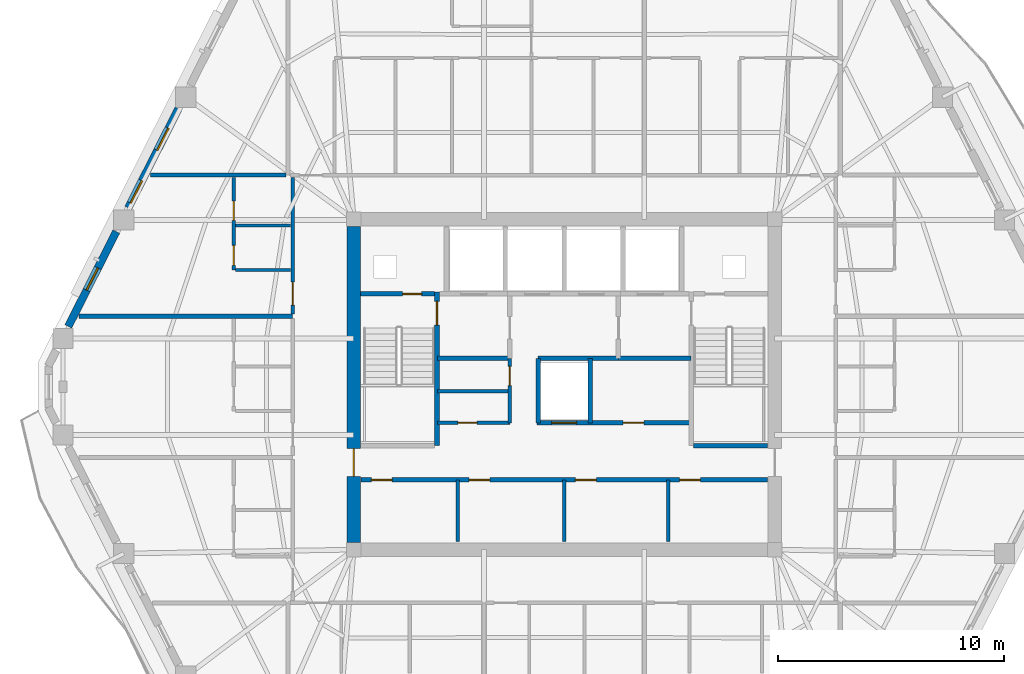
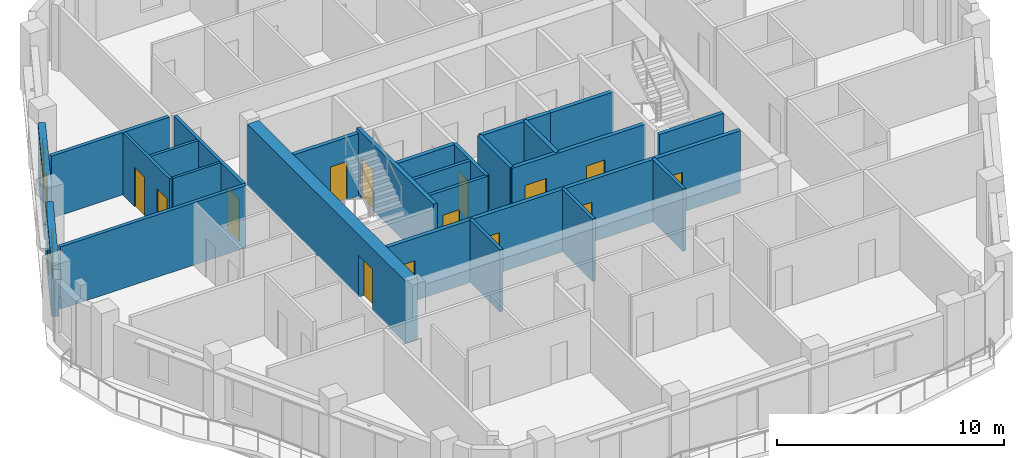
# One storey, part 5 of 11: 25 walls, 14 doors, 3 windows, 17 openings.
"""IFC4 building model written with IfcOpenShell, lengths in metres."""

from ifc_helpers import new_model, si_unit, direction, frame, frame_2d, origin, place, context, subcontext, project, spatial, rectangle, extrude, material, layer, layer_set, type_object, element, fill, save


model = new_model("IFC4")

# Units and contexts
model_context = context("Model", 3, precision=1e-05, world=origin(), true_north=direction((0.0, 1.0)))
body_context = subcontext(model_context, "Body", "Model", "MODEL_VIEW")
ifc_project = project(units=[si_unit("LENGTHUNIT", "METRE"), si_unit("AREAUNIT", "SQUARE_METRE"), si_unit("VOLUMEUNIT", "CUBIC_METRE"), si_unit("PLANEANGLEUNIT", "RADIAN"), si_unit("MASSUNIT", "GRAM", prefix="KILO")], contexts=[model_context])

# Site, building, storey
site_placement = place(None, origin())
site = spatial("IfcSite", under=ifc_project, at=site_placement, CompositionType="ELEMENT")
building_placement = place(site_placement, origin())
building = spatial("IfcBuilding", under=site, at=building_placement, Name="Cinnabar Lancet Tower", CompositionType="ELEMENT")
storey_placement = place(building_placement, frame((0.0, 0.0, 200.300048828125)))
storey = spatial("IfcBuildingStorey", under=building, at=storey_placement, Name="L53", CompositionType="ELEMENT", Elevation=200.300048828125)

# Wall, opening, door
ifc_material_1 = material(Name="Acoustic twin-stud gypsum partition", Category="gypsum")
ifc_layer_1 = layer(ifc_material_1, 0.159912109375)
ifc_layer_set_1 = layer_set([ifc_layer_1], Name="Acoustic twin-stud gypsum partition")
wall_type_1 = type_object("IfcWallType", Name="ARC-WL-CORR-160", PredefinedType="PARTITIONING", material=ifc_layer_set_1)
wall_1_placement = place(storey_placement, frame((26.800048828125, 24.199951171875, 0.0), z_axis=(0.0, 0.0, 1.0), x_axis=(1.0, 0.0, 0.0)))
wall_1 = element("IfcWall", 1, at=wall_1_placement, inside=storey, type_object=wall_type_1, Name="CW-REC5S-L53", PredefinedType="PARTITIONING", context=body_context, shape_type="SweptSolid", body=[
    extrude(rectangle(XDim=3.199951171875, YDim=0.159912109375, at=frame_2d((1.60009765625, 0.0))), origin(), (0.0, 0.0, 1.0), 3.349853515625),
])
opening_1_placement = place(wall_1_placement, frame((0.89990234375, 0.0, 0.0)))
opening_1 = element("IfcOpeningElement", 2, at=opening_1_placement, cuts=wall_1, Name="Opening PD-02", PredefinedType="OPENING", context=body_context, shape_type="SweptSolid", body=[
    extrude(rectangle(XDim=0.85009765625, YDim=2.050048828125, at=frame_2d((0.425048828125, 1.02490234375))), frame((0.0, 0.08984375, 0.0), z_axis=(0.0, -1.0, 0.0), x_axis=(1.0, 0.0, 0.0)), (0.0, 0.0, 1.0), 0.179931640625),
])
ifc_material_2 = material(Name="Fire-rated steel riser access door", Category="steel")
door_type_1 = type_object("IfcDoorType", Name="ARC-DR-RISER", OperationType="NOTDEFINED", PredefinedType="DOOR", material=ifc_material_2)
door_1_placement = place(opening_1_placement, origin())
door_1 = element("IfcDoor", 3, at=door_1_placement, inside=storey, type_object=door_type_1, Name="DR-L53-REC5S", OperationType="SINGLE_SWING_LEFT", OverallHeight=2.050048828125, OverallWidth=0.85009765625, PredefinedType="DOOR", context=body_context, shape_type="SweptSolid", body=[
    extrude(rectangle(XDim=0.85009765625, YDim=2.050048828125, at=frame_2d((0.425048828125, 1.02490234375))), frame((0.0, 0.02490234375, 0.0), z_axis=(0.0, -1.0, 0.0), x_axis=(1.0, 0.0, 0.0)), (0.0, 0.0, 1.0), 0.050048828125),
])
fill(opening_1, door_1)

wall_2_placement = place(storey_placement, frame((30.0, 24.199951171875, 0.0), z_axis=(0.0, 0.0, 1.0), x_axis=(0.0, 1.0, 0.0)))
wall_2 = element("IfcWall", 4, at=wall_2_placement, inside=storey, type_object=wall_type_1, Name="CW-REC5E-L53", PredefinedType="PARTITIONING", context=body_context, shape_type="SweptSolid", body=[
    extrude(rectangle(XDim=2.85009765625, YDim=0.159912109375, at=frame_2d((1.425048828125, 0.0))), origin(), (0.0, 0.0, 1.0), 3.349853515625),
])
opening_2_placement = place(wall_2_placement, frame((1.64990234375, 0.0, 0.0)))
opening_2 = element("IfcOpeningElement", 5, at=opening_2_placement, cuts=wall_2, Name="Opening PD-02", PredefinedType="OPENING", context=body_context, shape_type="SweptSolid", body=[
    extrude(rectangle(XDim=0.85009765625, YDim=2.050048828125, at=frame_2d((0.425048828125, 1.02490234375))), frame((0.0, 0.08984375, 0.0), z_axis=(0.0, -1.0, 0.0), x_axis=(1.0, 0.0, 0.0)), (0.0, 0.0, 1.0), 0.179931640625),
])
door_2_placement = place(opening_2_placement, origin())
door_2 = element("IfcDoor", 6, at=door_2_placement, inside=storey, type_object=door_type_1, Name="DR-L53-REC5N", OperationType="SINGLE_SWING_RIGHT", OverallHeight=2.050048828125, OverallWidth=0.85009765625, PredefinedType="DOOR", context=body_context, shape_type="SweptSolid", body=[
    extrude(rectangle(XDim=0.85009765625, YDim=2.050048828125, at=frame_2d((0.425048828125, 1.02490234375))), frame((0.0, 0.02490234375, 0.0), z_axis=(0.0, -1.0, 0.0), x_axis=(1.0, 0.0, 0.0)), (0.0, 0.0, 1.0), 0.050048828125),
])
fill(opening_2, door_2)

# Walls
wall_3_placement = place(storey_placement, frame((26.800048828125, 25.60009765625, 0.0), z_axis=(0.0, 0.0, 1.0), x_axis=(1.0, 0.0, 0.0)))
element("IfcWall", 7, at=wall_3_placement, inside=storey, type_object=wall_type_1, Name="CW-REC5HZ-L53", PredefinedType="PARTITIONING", context=body_context, shape_type="SweptSolid", body=[
    extrude(rectangle(XDim=3.199951171875, YDim=0.159912109375, at=frame_2d((1.60009765625, 0.0))), origin(), (0.0, 0.0, 1.0), 3.349853515625),
])
for number, where, z_axis, x_axis, name in (
    (8, (27.699951171875, 18.949951171875, 0.0), (0.0, 0.0, 1.0), (0.0, 1.0, 0.0), "CW-SB-2770-L53"),
    (9, (32.39990234375, 18.949951171875, 0.0), (0.0, 0.0, 1.0), (0.0, 1.0, 0.0), "CW-SB-3240-L53"),
    (10, (37.0, 18.949951171875, 0.0), (0.0, 0.0, 1.0), (0.0, 1.0, 0.0), "CW-SB-3700-L53"),
):
    element("IfcWall", number, at=place(storey_placement, frame(where, z_axis=z_axis, x_axis=x_axis)), inside=storey, type_object=wall_type_1, Name=name, PredefinedType="PARTITIONING", context=body_context, shape_type="SweptSolid", body=[
        extrude(rectangle(XDim=2.72998046875, YDim=0.159912109375, at=frame_2d((1.364990234375, 0.0))), origin(), (0.0, 0.0, 1.0), 3.349853515625),
    ])

# Wall, opening, door
wall_4_placement = place(storey_placement, frame((20.39990234375, 29.008056640625, 0.0), z_axis=(0.0, 0.0, 1.0), x_axis=(0.0, 1.0, 0.0)))
wall_4 = element("IfcWall", 11, at=wall_4_placement, inside=storey, type_object=wall_type_1, Name="UW-L53-W03-COR", PredefinedType="PARTITIONING", context=body_context, shape_type="SweptSolid", body=[
    extrude(rectangle(XDim=6.046875, YDim=0.159912109375, at=frame_2d((3.0234375, 0.0))), origin(), (0.0, 0.0, 1.0), 3.349853515625),
])
opening_3_placement = place(wall_4_placement, frame((0.39990234375, 0.0, 0.0)))
opening_3 = element("IfcOpeningElement", 12, at=opening_3_placement, cuts=wall_4, Name="Opening UD-01", PredefinedType="OPENING", context=body_context, shape_type="SweptSolid", body=[
    extrude(rectangle(XDim=1.02001953125, YDim=2.25, at=frame_2d((0.510009765625, 1.125))), frame((0.0, 0.08984375, 0.0), z_axis=(0.0, -1.0, 0.0), x_axis=(1.0, 0.0, 0.0)), (0.0, 0.0, 1.0), 0.179931640625),
])
ifc_material_3 = material(Name="Solid timber fire-rated apartment entrance door", Category="wood")
door_type_2 = type_object("IfcDoorType", Name="ARC-DR-UNIT", OperationType="NOTDEFINED", PredefinedType="DOOR", material=ifc_material_3)
door_3_placement = place(opening_3_placement, origin())
door_3 = element("IfcDoor", 13, at=door_3_placement, inside=storey, type_object=door_type_2, Name="DR-L53-W03-ENT", OperationType="SINGLE_SWING_LEFT", OverallHeight=2.25, OverallWidth=1.02001953125, PredefinedType="DOOR", context=body_context, shape_type="SweptSolid", body=[
    extrude(rectangle(XDim=1.02001953125, YDim=2.25, at=frame_2d((0.510009765625, 1.125))), frame((0.0, 0.02490234375, 0.0), z_axis=(0.0, -1.0, 0.0), x_axis=(1.0, 0.0, 0.0)), (0.0, 0.0, 1.0), 0.050048828125),
])
fill(opening_3, door_3)

# Walls
ifc_material_4 = material(Name="Fire-rated twin-frame acoustic drywall", Category="gypsum")
ifc_layer_2 = layer(ifc_material_4, 0.179931640625)
ifc_layer_set_2 = layer_set([ifc_layer_2], Name="Fire-rated twin-frame acoustic drywall")
wall_type_2 = type_object("IfcWallType", Name="ARC-WL-PARTY-180", PredefinedType="PARTITIONING", material=ifc_layer_set_2)
wall_5_placement = place(storey_placement, frame((14.110107421875, 35.14990234375, 0.0), z_axis=(0.0, 0.0, 1.0), x_axis=(1.0, 0.0, 0.0)))
element("IfcWall", 14, at=wall_5_placement, inside=storey, type_object=wall_type_2, Name="PW-L53-WNB", PredefinedType="PARTITIONING", context=body_context, shape_type="SweptSolid", body=[
    extrude(rectangle(XDim=5.994873046875, YDim=0.179931640625, at=frame_2d((2.99755859375, 0.0))), origin(), (0.0, 0.0, 1.0), 3.349853515625),
])
wall_6_placement = place(storey_placement, frame((10.9541015625, 28.9130859375, 0.0), z_axis=(0.0, 0.0, 1.0), x_axis=(1.0, 0.0, 0.0)))
element("IfcWall", 15, at=wall_6_placement, inside=storey, type_object=wall_type_2, Name="PW-L53-WPTY-2", PredefinedType="PARTITIONING", context=body_context, shape_type="SweptSolid", body=[
    extrude(rectangle(XDim=9.44580078125, YDim=0.179931640625, at=frame_2d((4.722900390625, 0.0))), origin(), (0.0, 0.0, 1.0), 3.349853515625),
])
ifc_material_5 = material(Name="Autoclaved aerated concrete blockwork", Category="masonry")
ifc_layer_3 = layer(ifc_material_5, 0.199951171875)
ifc_layer_set_3 = layer_set([ifc_layer_3], Name="Autoclaved aerated concrete blockwork")
wall_type_3 = type_object("IfcWallType", Name="ARC-WL-SHAFT-200", PredefinedType="PLUMBINGWALL", material=ifc_layer_set_3)
wall_7_placement = place(storey_placement, frame((38.125, 23.199951171875, 0.0), z_axis=(0.0, 0.0, 1.0), x_axis=(1.0, 0.0, 0.0)))
element("IfcWall", 16, at=wall_7_placement, inside=storey, type_object=wall_type_3, Name="CW-ST2S-L53", PredefinedType="PLUMBINGWALL", context=body_context, shape_type="SweptSolid", body=[
    extrude(rectangle(XDim=3.27001953125, YDim=0.199951171875, at=frame_2d((1.635009765625, 0.0))), origin(), (0.0, 0.0, 1.0), 3.349853515625),
])

# Wall, opening, door
wall_8_placement = place(storey_placement, frame((23.405029296875, 29.89990234375, 0.0), z_axis=(0.0, 0.0, 1.0), x_axis=(1.0, 0.0, 0.0)))
wall_8 = element("IfcWall", 17, at=wall_8_placement, inside=storey, type_object=wall_type_3, Name="CW-NSH-W-L53", PredefinedType="PLUMBINGWALL", context=body_context, shape_type="SweptSolid", body=[
    extrude(rectangle(XDim=3.27001953125, YDim=0.199951171875, at=frame_2d((1.635009765625, 0.0))), origin(), (0.0, 0.0, 1.0), 3.349853515625),
])
opening_4_placement = place(wall_8_placement, frame((1.85009765625, 0.0, 0.0)))
opening_4 = element("IfcOpeningElement", 18, at=opening_4_placement, cuts=wall_8, Name="Opening PD-02", PredefinedType="OPENING", context=body_context, shape_type="SweptSolid", body=[
    extrude(rectangle(XDim=0.85009765625, YDim=2.050048828125, at=frame_2d((0.425048828125, 1.02490234375))), frame((0.0, 0.10986328125, 0.0), z_axis=(0.0, -1.0, 0.0), x_axis=(1.0, 0.0, 0.0)), (0.0, 0.0, 1.0), 0.219970703125),
])
door_4_placement = place(opening_4_placement, origin())
door_4 = element("IfcDoor", 19, at=door_4_placement, inside=storey, type_object=door_type_1, Name="L53 West Riser Access Door", OperationType="SINGLE_SWING_LEFT", OverallHeight=2.050048828125, OverallWidth=0.85009765625, PredefinedType="DOOR", context=body_context, shape_type="SweptSolid", body=[
    extrude(rectangle(XDim=0.85009765625, YDim=2.050048828125, at=frame_2d((0.425048828125, 1.02490234375))), frame((0.0, 0.02490234375, 0.0), z_axis=(0.0, -1.0, 0.0), x_axis=(1.0, 0.0, 0.0)), (0.0, 0.0, 1.0), 0.050048828125),
])
fill(opening_4, door_4)

# Walls
for number, where, z_axis, x_axis, name in (
    (20, (26.800048828125, 27.050048828125, 0.0), (0.0, 0.0, 1.0), (1.0, 0.0, 0.0), "CW-FF1S-L53"),
    (21, (34.800048828125, 27.050048828125, 0.0), (0.0, 0.0, 1.0), (1.0, 0.0, 0.0), "CW-FF2S-L53"),
):
    element("IfcWall", number, at=place(storey_placement, frame(where, z_axis=z_axis, x_axis=x_axis)), inside=storey, type_object=wall_type_3, Name=name, PredefinedType="PLUMBINGWALL", context=body_context, shape_type="SweptSolid", body=[
        extrude(rectangle(XDim=3.199951171875, YDim=0.199951171875, at=frame_2d((1.60009765625, 0.0))), origin(), (0.0, 0.0, 1.0), 3.349853515625),
    ])

# Wall, openings, doors
wall_9_placement = place(storey_placement, frame((31.199951171875, 24.199951171875, 0.0), z_axis=(0.0, 0.0, 1.0), x_axis=(1.0, 0.0, 0.0)))
wall_9 = element("IfcWall", 22, at=wall_9_placement, inside=storey, type_object=wall_type_3, Name="CW-PL96S-L53", PredefinedType="PLUMBINGWALL", context=body_context, shape_type="SweptSolid", body=[
    extrude(rectangle(XDim=6.800048828125, YDim=0.199951171875, at=frame_2d((3.39990234375, 0.0))), origin(), (0.0, 0.0, 1.0), 3.349853515625),
])
opening_5_placement = place(wall_9_placement, frame((0.64990234375, 0.0, 0.0)))
opening_5 = element("IfcOpeningElement", 23, at=opening_5_placement, cuts=wall_9, Name="Opening LD-01", PredefinedType="OPENING", context=body_context, shape_type="SweptSolid", body=[
    extrude(rectangle(XDim=1.10009765625, YDim=2.199951171875, at=frame_2d((0.550048828125, 1.10009765625))), frame((0.0, 0.10986328125, 0.0), z_axis=(0.0, -1.0, 0.0), x_axis=(1.0, 0.0, 0.0)), (0.0, 0.0, 1.0), 0.219970703125),
])
opening_6_placement = place(wall_9_placement, frame((3.800048828125, 0.0, 0.0)))
opening_6 = element("IfcOpeningElement", 24, at=opening_6_placement, cuts=wall_9, Name="Opening RD-01", PredefinedType="OPENING", context=body_context, shape_type="SweptSolid", body=[
    extrude(rectangle(XDim=0.919921875, YDim=2.14990234375, at=frame_2d((0.4599609375, 1.074951171875))), frame((0.0, 0.10986328125, 0.0), z_axis=(0.0, -1.0, 0.0), x_axis=(1.0, 0.0, 0.0)), (0.0, 0.0, 1.0), 0.219970703125),
])
ifc_material_6 = material(Name="Brushed stainless steel sliding lift door", Category="steel")
door_type_3 = type_object("IfcDoorType", Name="ARC-DR-LD-PASS", OperationType="NOTDEFINED", PredefinedType="DOOR", material=ifc_material_6)
door_5_placement = place(opening_5_placement, origin())
door_5 = element("IfcDoor", 25, at=door_5_placement, inside=storey, type_object=door_type_3, Name="L53 Lift PL-9 Landing Door", OperationType="DOUBLE_DOOR_SLIDING", OverallHeight=2.199951171875, OverallWidth=1.10009765625, PredefinedType="DOOR", context=body_context, shape_type="SweptSolid", body=[
    extrude(rectangle(XDim=1.10009765625, YDim=2.199951171875, at=frame_2d((0.550048828125, 1.10009765625))), frame((0.0, 0.02490234375, 0.0), z_axis=(0.0, -1.0, 0.0), x_axis=(1.0, 0.0, 0.0)), (0.0, 0.0, 1.0), 0.050048828125),
])
fill(opening_5, door_5)
ifc_material_7 = material(Name="Engineered timber bedroom door", Category="wood")
door_type_4 = type_object("IfcDoorType", Name="ARC-DR-ROOM", OperationType="NOTDEFINED", PredefinedType="DOOR", material=ifc_material_7)
door_6_placement = place(opening_6_placement, origin())
door_6 = element("IfcDoor", 26, at=door_6_placement, inside=storey, type_object=door_type_4, Name="DR-L53-REC6", OperationType="SINGLE_SWING_RIGHT", OverallHeight=2.14990234375, OverallWidth=0.919921875, PredefinedType="DOOR", context=body_context, shape_type="SweptSolid", body=[
    extrude(rectangle(XDim=0.919921875, YDim=2.14990234375, at=frame_2d((0.4599609375, 1.074951171875))), frame((0.0, 0.02490234375, 0.0), z_axis=(0.0, -1.0, 0.0), x_axis=(1.0, 0.0, 0.0)), (0.0, 0.0, 1.0), 0.050048828125),
])
fill(opening_6, door_6)

# Walls
for number, where, z_axis, x_axis, name in (
    (27, (31.25, 24.199951171875, 0.0), (0.0, 0.0, 1.0), (0.0, 1.0, 0.0), "CW-PL9W-L53"),
    (28, (33.550048828125, 24.199951171875, 0.0), (0.0, 0.0, 1.0), (0.0, 1.0, 0.0), "CW-PL9E-L53"),
):
    element("IfcWall", number, at=place(storey_placement, frame(where, z_axis=z_axis, x_axis=x_axis)), inside=storey, type_object=wall_type_3, Name=name, PredefinedType="PLUMBINGWALL", context=body_context, shape_type="SweptSolid", body=[
        extrude(rectangle(XDim=2.85009765625, YDim=0.199951171875, at=frame_2d((1.425048828125, 0.0))), origin(), (0.0, 0.0, 1.0), 3.349853515625),
    ])
wall_10_placement = place(storey_placement, frame((31.25, 27.050048828125, 0.0), z_axis=(0.0, 0.0, 1.0), x_axis=(1.0, 0.0, 0.0)))
element("IfcWall", 29, at=wall_10_placement, inside=storey, type_object=wall_type_3, Name="CW-PL96N-L53", PredefinedType="PLUMBINGWALL", context=body_context, shape_type="SweptSolid", body=[
    extrude(rectangle(XDim=3.550048828125, YDim=0.199951171875, at=frame_2d((1.77490234375, 0.0))), origin(), (0.0, 0.0, 1.0), 3.349853515625),
])

# Wall, openings, doors
wall_11_placement = place(storey_placement, frame((23.419921875, 21.679931640625, 0.0), z_axis=(0.0, 0.0, 1.0), x_axis=(1.0, 0.0, 0.0)))
wall_11 = element("IfcWall", 30, at=wall_11_placement, inside=storey, type_object=wall_type_3, Name="CW-SBANDN-L53", PredefinedType="PLUMBINGWALL", context=body_context, shape_type="SweptSolid", body=[
    extrude(rectangle(XDim=17.9599609375, YDim=0.199951171875, at=frame_2d((8.97998046875, 0.0))), origin(), (0.0, 0.0, 1.0), 3.349853515625),
])
opening_7_placement = place(wall_11_placement, frame((0.4599609375, 0.0, 0.0)))
opening_7 = element("IfcOpeningElement", 31, at=opening_7_placement, cuts=wall_11, Name="Opening RD-01", PredefinedType="OPENING", context=body_context, shape_type="SweptSolid", body=[
    extrude(rectangle(XDim=0.919921875, YDim=2.14990234375, at=frame_2d((0.4599609375, 1.074951171875))), frame((0.0, 0.10986328125, 0.0), z_axis=(0.0, -1.0, 0.0), x_axis=(1.0, 0.0, 0.0)), (0.0, 0.0, 1.0), 0.219970703125),
])
opening_8_placement = place(wall_11_placement, frame((4.780029296875, 0.0, 0.0)))
opening_8 = element("IfcOpeningElement", 32, at=opening_8_placement, cuts=wall_11, Name="Opening RD-01", PredefinedType="OPENING", context=body_context, shape_type="SweptSolid", body=[
    extrude(rectangle(XDim=0.919921875, YDim=2.14990234375, at=frame_2d((0.4599609375, 1.074951171875))), frame((0.0, 0.10986328125, 0.0), z_axis=(0.0, -1.0, 0.0), x_axis=(1.0, 0.0, 0.0)), (0.0, 0.0, 1.0), 0.219970703125),
])
opening_9_placement = place(wall_11_placement, frame((9.47998046875, 0.0, 0.0)))
opening_9 = element("IfcOpeningElement", 33, at=opening_9_placement, cuts=wall_11, Name="Opening RD-01", PredefinedType="OPENING", context=body_context, shape_type="SweptSolid", body=[
    extrude(rectangle(XDim=0.919921875, YDim=2.14990234375, at=frame_2d((0.4599609375, 1.074951171875))), frame((0.0, 0.10986328125, 0.0), z_axis=(0.0, -1.0, 0.0), x_axis=(1.0, 0.0, 0.0)), (0.0, 0.0, 1.0), 0.219970703125),
])
opening_10_placement = place(wall_11_placement, frame((14.080078125, 0.0, 0.0)))
opening_10 = element("IfcOpeningElement", 34, at=opening_10_placement, cuts=wall_11, Name="Opening RD-01", PredefinedType="OPENING", context=body_context, shape_type="SweptSolid", body=[
    extrude(rectangle(XDim=0.919921875, YDim=2.14990234375, at=frame_2d((0.4599609375, 1.074951171875))), frame((0.0, 0.10986328125, 0.0), z_axis=(0.0, -1.0, 0.0), x_axis=(1.0, 0.0, 0.0)), (0.0, 0.0, 1.0), 0.219970703125),
])
door_7_placement = place(opening_7_placement, origin())
door_7 = element("IfcDoor", 35, at=door_7_placement, inside=storey, type_object=door_type_4, Name="DR-L53-HREC1", OperationType="SINGLE_SWING_LEFT", OverallHeight=2.14990234375, OverallWidth=0.919921875, PredefinedType="DOOR", context=body_context, shape_type="SweptSolid", body=[
    extrude(rectangle(XDim=0.919921875, YDim=2.14990234375, at=frame_2d((0.4599609375, 1.074951171875))), frame((0.0, 0.02490234375, 0.0), z_axis=(0.0, -1.0, 0.0), x_axis=(1.0, 0.0, 0.0)), (0.0, 0.0, 1.0), 0.050048828125),
])
fill(opening_7, door_7)
door_8_placement = place(opening_8_placement, origin())
door_8 = element("IfcDoor", 36, at=door_8_placement, inside=storey, type_object=door_type_4, Name="DR-L53-HREC2", OperationType="SINGLE_SWING_RIGHT", OverallHeight=2.14990234375, OverallWidth=0.919921875, PredefinedType="DOOR", context=body_context, shape_type="SweptSolid", body=[
    extrude(rectangle(XDim=0.919921875, YDim=2.14990234375, at=frame_2d((0.4599609375, 1.074951171875))), frame((0.0, 0.02490234375, 0.0), z_axis=(0.0, -1.0, 0.0), x_axis=(1.0, 0.0, 0.0)), (0.0, 0.0, 1.0), 0.050048828125),
])
fill(opening_8, door_8)
door_9_placement = place(opening_9_placement, origin())
door_9 = element("IfcDoor", 37, at=door_9_placement, inside=storey, type_object=door_type_4, Name="DR-L53-HREC3", OperationType="SINGLE_SWING_LEFT", OverallHeight=2.14990234375, OverallWidth=0.919921875, PredefinedType="DOOR", context=body_context, shape_type="SweptSolid", body=[
    extrude(rectangle(XDim=0.919921875, YDim=2.14990234375, at=frame_2d((0.4599609375, 1.074951171875))), frame((0.0, 0.02490234375, 0.0), z_axis=(0.0, -1.0, 0.0), x_axis=(1.0, 0.0, 0.0)), (0.0, 0.0, 1.0), 0.050048828125),
])
fill(opening_9, door_9)
door_10_placement = place(opening_10_placement, origin())
door_10 = element("IfcDoor", 38, at=door_10_placement, inside=storey, type_object=door_type_4, Name="DR-L53-HREC4", OperationType="SINGLE_SWING_RIGHT", OverallHeight=2.14990234375, OverallWidth=0.919921875, PredefinedType="DOOR", context=body_context, shape_type="SweptSolid", body=[
    extrude(rectangle(XDim=0.919921875, YDim=2.14990234375, at=frame_2d((0.4599609375, 1.074951171875))), frame((0.0, 0.02490234375, 0.0), z_axis=(0.0, -1.0, 0.0), x_axis=(1.0, 0.0, 0.0)), (0.0, 0.0, 1.0), 0.050048828125),
])
fill(opening_10, door_10)

# Wall
ifc_material_8 = material(Name="Gypsum plasterboard stud partition", Category="gypsum")
ifc_layer_4 = layer(ifc_material_8, 0.125)
ifc_layer_set_4 = layer_set([ifc_layer_4], Name="Gypsum plasterboard stud partition")
wall_type_4 = type_object("IfcWallType", Name="ARC-WL-UNIT-125", PredefinedType="PARTITIONING", material=ifc_layer_set_4)
wall_12_placement = place(storey_placement, frame((17.885009765625, 30.962890625, 0.0), z_axis=(0.0, 0.0, 1.0), x_axis=(1.0, 0.0, 0.0)))
element("IfcWall", 39, at=wall_12_placement, inside=storey, type_object=wall_type_4, Name="UW-L53-W03-FOYN", PredefinedType="PARTITIONING", context=body_context, shape_type="SweptSolid", body=[
    extrude(rectangle(XDim=2.429931640625, YDim=0.125, at=frame_2d((1.21484375, 0.0))), origin(), (0.0, 0.0, 1.0), 3.349853515625),
])

# Wall, openings, doors
ifc_material_9 = material(Name="Moisture-resistant cement-board plumbing wall", Category="masonry")
ifc_layer_5 = layer(ifc_material_9, 0.139892578125)
ifc_layer_set_5 = layer_set([ifc_layer_5], Name="Moisture-resistant cement-board plumbing wall")
wall_type_5 = type_object("IfcWallType", Name="ARC-WL-WET-140", PredefinedType="PLUMBINGWALL", material=ifc_layer_set_5)
wall_13_placement = place(storey_placement, frame((17.800048828125, 30.962890625, 0.0), z_axis=(0.0, 0.0, 1.0), x_axis=(0.0, 1.0, 0.0)))
wall_13 = element("IfcWall", 40, at=wall_13_placement, inside=storey, type_object=wall_type_5, Name="UW-L53-W03-SPL", PredefinedType="PLUMBINGWALL", context=body_context, shape_type="SweptSolid", body=[
    extrude(rectangle(XDim=4.092041015625, YDim=0.139892578125, at=frame_2d((2.0458984375, 0.0))), origin(), (0.0, 0.0, 1.0), 3.349853515625),
])
opening_11_placement = place(wall_13_placement, frame((2.18408203125, 0.0, 0.0)))
opening_11 = element("IfcOpeningElement", 41, at=opening_11_placement, cuts=wall_13, Name="Opening BD-01", PredefinedType="OPENING", context=body_context, shape_type="SweptSolid", body=[
    extrude(rectangle(XDim=0.860107421875, YDim=2.10009765625, at=frame_2d((0.43017578125, 1.050048828125))), frame((0.0, 0.079833984375, 0.0), z_axis=(0.0, -1.0, 0.0), x_axis=(1.0, 0.0, 0.0)), (0.0, 0.0, 1.0), 0.159912109375),
])
opening_12_placement = place(wall_13_placement, frame((0.199951171875, 0.0, 0.0)))
opening_12 = element("IfcOpeningElement", 42, at=opening_12_placement, cuts=wall_13, Name="Opening RD-02", PredefinedType="OPENING", context=body_context, shape_type="SweptSolid", body=[
    extrude(rectangle(XDim=0.8798828125, YDim=2.14990234375, at=frame_2d((0.43994140625, 1.074951171875))), frame((0.0, 0.079833984375, 0.0), z_axis=(0.0, -1.0, 0.0), x_axis=(1.0, 0.0, 0.0)), (0.0, 0.0, 1.0), 0.159912109375),
])
ifc_material_10 = material(Name="Moisture-resistant timber bathroom door", Category="wood")
door_type_5 = type_object("IfcDoorType", Name="ARC-DR-BATH", OperationType="NOTDEFINED", PredefinedType="DOOR", material=ifc_material_10)
door_11_placement = place(opening_11_placement, origin())
door_11 = element("IfcDoor", 43, at=door_11_placement, inside=storey, type_object=door_type_5, Name="DR-L53-W03-BTH", OperationType="SINGLE_SWING_LEFT", OverallHeight=2.10009765625, OverallWidth=0.860107421875, PredefinedType="DOOR", context=body_context, shape_type="SweptSolid", body=[
    extrude(rectangle(XDim=0.860107421875, YDim=2.10009765625, at=frame_2d((0.43017578125, 1.050048828125))), frame((0.0, 0.02490234375, 0.0), z_axis=(0.0, -1.0, 0.0), x_axis=(1.0, 0.0, 0.0)), (0.0, 0.0, 1.0), 0.050048828125),
])
fill(opening_11, door_11)
ifc_material_11 = material(Name="Engineered timber study door", Category="wood")
door_type_6 = type_object("IfcDoorType", Name="ARC-DR-STUDY", OperationType="NOTDEFINED", PredefinedType="DOOR", material=ifc_material_11)
door_12_placement = place(opening_12_placement, origin())
door_12 = element("IfcDoor", 44, at=door_12_placement, inside=storey, type_object=door_type_6, Name="DR-L53-W03-KIT", OperationType="SINGLE_SWING_RIGHT", OverallHeight=2.14990234375, OverallWidth=0.8798828125, PredefinedType="DOOR", context=body_context, shape_type="SweptSolid", body=[
    extrude(rectangle(XDim=0.8798828125, YDim=2.14990234375, at=frame_2d((0.43994140625, 1.074951171875))), frame((0.0, 0.02490234375, 0.0), z_axis=(0.0, -1.0, 0.0), x_axis=(1.0, 0.0, 0.0)), (0.0, 0.0, 1.0), 0.050048828125),
])
fill(opening_12, door_12)

# Wall
wall_14_placement = place(storey_placement, frame((17.885009765625, 32.927001953125, 0.0), z_axis=(0.0, 0.0, 1.0), x_axis=(1.0, 0.0, 0.0)))
element("IfcWall", 45, at=wall_14_placement, inside=storey, type_object=wall_type_5, Name="UW-L53-W03-KDV", PredefinedType="PLUMBINGWALL", context=body_context, shape_type="SweptSolid", body=[
    extrude(rectangle(XDim=2.429931640625, YDim=0.139892578125, at=frame_2d((1.21484375, 0.0))), origin(), (0.0, 0.0, 1.0), 3.349853515625),
])

# Wall, openings, windows
ifc_material_12 = material(Name="Cinnabar red clay brick", Category="masonry")
ifc_layer_6 = layer(ifc_material_12, 0.340087890625)
ifc_layer_set_6 = layer_set([ifc_layer_6], Name="Cinnabar red clay brick")
wall_type_6 = type_object("IfcWallType", Name="ENV-WL-BRK-RED-340", PredefinedType="STANDARD", material=ifc_layer_set_6)
wall_15_placement = place(storey_placement, frame((15.35205078125, 38.0830078125, 0.0), z_axis=(0.0, 0.0, 1.0), x_axis=(-0.451524246964, -0.89225884944, 0.0)))
wall_15 = element("IfcWall", 46, at=wall_15_placement, inside=storey, type_object=wall_type_6, Name="L53 Face 5 Masonry Bay Wall 3", PredefinedType="STANDARD", context=body_context, shape_type="SweptSolid", body=[
    extrude(rectangle(XDim=4.91015625, YDim=0.340087890625, at=frame_2d((2.455078125, 0.0))), origin(), (0.0, 0.0, 1.0), 2.883056640625),
])
opening_13_placement = place(wall_15_placement, frame((0.962890625, 0.0, 0.75)))
opening_13 = element("IfcOpeningElement", 47, at=opening_13_placement, cuts=wall_15, Name="Opening WN-04", PredefinedType="OPENING", context=body_context, shape_type="SweptSolid", body=[
    extrude(rectangle(XDim=1.10009765625, YDim=1.98291015625, at=frame_2d((0.550048828125, 0.991455078125))), frame((0.0, 0.179931640625, 0.0), z_axis=(0.0, -1.0, 0.0), x_axis=(1.0, 0.0, 0.0)), (0.0, 0.0, 1.0), 0.360107421875),
])
opening_14_placement = place(wall_15_placement, frame((3.569091796875, 0.0, 0.75)))
opening_14 = element("IfcOpeningElement", 48, at=opening_14_placement, cuts=wall_15, Name="Opening WN-04", PredefinedType="OPENING", context=body_context, shape_type="SweptSolid", body=[
    extrude(rectangle(XDim=1.10009765625, YDim=1.98291015625, at=frame_2d((0.550048828125, 0.991455078125))), frame((0.0, 0.179931640625, 0.0), z_axis=(0.0, -1.0, 0.0), x_axis=(1.0, 0.0, 0.0)), (0.0, 0.0, 1.0), 0.360107421875),
])
ifc_material_13 = material(Name="Thermally broken bronze-anodized aluminium tall lancet window", Category="aluminium")
window_type = type_object("IfcWindowType", Name="ENV-WN-LANCET-1100", PartitioningType="SINGLE_PANEL", PredefinedType="WINDOW", material=ifc_material_13)
window_1_placement = place(opening_13_placement, origin())
window_1 = element("IfcWindow", 49, at=window_1_placement, inside=storey, type_object=window_type, Name="L53 Face 5 Gothic Lancet Window 3", OverallHeight=1.98291015625, OverallWidth=1.10009765625, PartitioningType="SINGLE_PANEL", PredefinedType="WINDOW", context=body_context, shape_type="SweptSolid", body=[
    extrude(rectangle(XDim=1.10009765625, YDim=1.98291015625, at=frame_2d((0.550048828125, 0.991455078125))), frame((0.0, 0.030029296875, 0.0), z_axis=(0.0, -1.0, 0.0), x_axis=(1.0, 0.0, 0.0)), (0.0, 0.0, 1.0), 0.06005859375),
])
fill(opening_13, window_1)
window_2_placement = place(opening_14_placement, origin())
window_2 = element("IfcWindow", 50, at=window_2_placement, inside=storey, type_object=window_type, Name="L53 Split-Bay Gothic Lancet Window 180", OverallHeight=1.98291015625, OverallWidth=1.10009765625, PartitioningType="SINGLE_PANEL", PredefinedType="WINDOW", context=body_context, shape_type="SweptSolid", body=[
    extrude(rectangle(XDim=1.10009765625, YDim=1.98291015625, at=frame_2d((0.550048828125, 0.991455078125))), frame((0.0, 0.030029296875, 0.0), z_axis=(0.0, -1.0, 0.0), x_axis=(1.0, 0.0, 0.0)), (0.0, 0.0, 1.0), 0.06005859375),
])
fill(opening_14, window_2)

# Wall, opening, window
wall_16_placement = place(storey_placement, frame((12.60693359375, 32.656982421875, 0.0), z_axis=(0.0, 0.0, 1.0), x_axis=(-0.451426298588, -0.892308409096, 0.0)))
wall_16 = element("IfcWall", 51, at=wall_16_placement, inside=storey, type_object=wall_type_6, Name="L53 Face 5 Masonry Bay Wall 4", PredefinedType="STANDARD", context=body_context, shape_type="SweptSolid", body=[
    extrude(rectangle(XDim=4.7001953125, YDim=0.340087890625, at=frame_2d((2.35009765625, 0.0))), origin(), (0.0, 0.0, 1.0), 2.883056640625),
])
opening_15_placement = place(wall_16_placement, frame((1.800048828125, 0.0, 0.75)))
opening_15 = element("IfcOpeningElement", 52, at=opening_15_placement, cuts=wall_16, Name="Opening WN-04", PredefinedType="OPENING", context=body_context, shape_type="SweptSolid", body=[
    extrude(rectangle(XDim=1.10009765625, YDim=1.98291015625, at=frame_2d((0.550048828125, 0.991455078125))), frame((0.0, 0.179931640625, 0.0), z_axis=(0.0, -1.0, 0.0), x_axis=(1.0, 0.0, 0.0)), (0.0, 0.0, 1.0), 0.360107421875),
])
window_3_placement = place(opening_15_placement, origin())
window_3 = element("IfcWindow", 53, at=window_3_placement, inside=storey, type_object=window_type, Name="L53 Face 5 Gothic Lancet Window 4", OverallHeight=1.98291015625, OverallWidth=1.10009765625, PartitioningType="SINGLE_PANEL", PredefinedType="WINDOW", context=body_context, shape_type="SweptSolid", body=[
    extrude(rectangle(XDim=1.10009765625, YDim=1.98291015625, at=frame_2d((0.550048828125, 0.991455078125))), frame((0.0, 0.030029296875, 0.0), z_axis=(0.0, -1.0, 0.0), x_axis=(1.0, 0.0, 0.0)), (0.0, 0.0, 1.0), 0.06005859375),
])
fill(opening_15, window_3)

# Wall, opening, door
ifc_material_14 = material(Name="Concrete C60/75", Category="concrete")
ifc_layer_7 = layer(ifc_material_14, 0.60009765625)
ifc_layer_set_7 = layer_set([ifc_layer_7], Name="Concrete C60/75")
wall_type_7 = type_object("IfcWallType", Name="STR-WL-CORE-600", PredefinedType="SHEAR", material=ifc_layer_set_7)
wall_17_placement = place(storey_placement, frame((23.10009765625, 18.925048828125, 0.0), z_axis=(0.0, 0.0, 1.0), x_axis=(0.0, 1.0, 0.0)))
wall_17 = element("IfcWall", 54, at=wall_17_placement, inside=storey, type_object=wall_type_7, Name="L53 Core Shear Wall W", PredefinedType="SHEAR", context=body_context, shape_type="SweptSolid", body=[
    extrude(rectangle(XDim=13.949951171875, YDim=0.60009765625, at=frame_2d((6.97509765625, 0.0))), origin(), (0.0, 0.0, 1.0), 3.349853515625),
])
opening_16_placement = place(wall_17_placement, frame((2.9150390625, 0.0, 0.0)))
opening_16 = element("IfcOpeningElement", 55, at=opening_16_placement, cuts=wall_17, Name="Opening FD-02", PredefinedType="OPENING", context=body_context, shape_type="SweptSolid", body=[
    extrude(rectangle(XDim=1.219970703125, YDim=2.25, at=frame_2d((0.60986328125, 1.125))), frame((0.0, 0.31005859375, 0.0), z_axis=(0.0, -1.0, 0.0), x_axis=(1.0, 0.0, 0.0)), (0.0, 0.0, 1.0), 0.6201171875),
])
ifc_material_15 = material(Name="Fire-rated double-vision core portal door", Category="wood")
door_type_7 = type_object("IfcDoorType", Name="ARC-DR-CPORT", OperationType="NOTDEFINED", PredefinedType="DOOR", material=ifc_material_15)
door_13_placement = place(opening_16_placement, origin())
door_13 = element("IfcDoor", 56, at=door_13_placement, inside=storey, type_object=door_type_7, Name="L53 West Core Lobby Fire Door", OperationType="SINGLE_SWING_RIGHT", OverallHeight=2.25, OverallWidth=1.219970703125, PredefinedType="DOOR", context=body_context, shape_type="SweptSolid", body=[
    extrude(rectangle(XDim=1.219970703125, YDim=2.25, at=frame_2d((0.60986328125, 1.125))), frame((0.0, 0.02490234375, 0.0), z_axis=(0.0, -1.0, 0.0), x_axis=(1.0, 0.0, 0.0)), (0.0, 0.0, 1.0), 0.050048828125),
])
fill(opening_16, door_13)

ifc_material_16 = material(Name="Concrete C50/60", Category="concrete")
ifc_layer_8 = layer(ifc_material_16, 0.199951171875)
ifc_layer_set_8 = layer_set([ifc_layer_8], Name="Concrete C50/60")
wall_type_8 = type_object("IfcWallType", Name="STR-WL-STAIR-200", PredefinedType="SHEAR", material=ifc_layer_set_8)
wall_18_placement = place(storey_placement, frame((26.780029296875, 23.199951171875, 0.0), z_axis=(0.0, 0.0, 1.0), x_axis=(0.0, 1.0, 0.0)))
wall_18 = element("IfcWall", 57, at=wall_18_placement, inside=storey, type_object=wall_type_8, Name="L53 Stair ST-1 Structural Enclosure Wall", PredefinedType="SHEAR", context=body_context, shape_type="SweptSolid", body=[
    extrude(rectangle(XDim=6.780029296875, YDim=0.199951171875, at=frame_2d((3.39013671875, 0.0))), origin(), (0.0, 0.0, 1.0), 3.550048828125),
])
opening_17_placement = place(wall_18_placement, frame((5.320068359375, 0.0, 0.0)))
opening_17 = element("IfcOpeningElement", 58, at=opening_17_placement, cuts=wall_18, Name="Opening SD-01", PredefinedType="OPENING", context=body_context, shape_type="SweptSolid", body=[
    extrude(rectangle(XDim=1.050048828125, YDim=2.14990234375, at=frame_2d((0.52490234375, 1.074951171875))), frame((0.0, 0.10986328125, 0.0), z_axis=(0.0, -1.0, 0.0), x_axis=(1.0, 0.0, 0.0)), (0.0, 0.0, 1.0), 0.219970703125),
])
ifc_material_17 = material(Name="Fire-rated steel stair exit door", Category="steel")
door_type_8 = type_object("IfcDoorType", Name="ARC-DR-STAIR", OperationType="NOTDEFINED", PredefinedType="DOOR", material=ifc_material_17)
door_14_placement = place(opening_17_placement, origin())
door_14 = element("IfcDoor", 59, at=door_14_placement, inside=storey, type_object=door_type_8, Name="L53 Stair ST-1 Fire Door", OperationType="SINGLE_SWING_LEFT", OverallHeight=2.14990234375, OverallWidth=1.050048828125, PredefinedType="DOOR", context=body_context, shape_type="SweptSolid", body=[
    extrude(rectangle(XDim=1.050048828125, YDim=2.14990234375, at=frame_2d((0.52490234375, 1.074951171875))), frame((0.0, 0.02490234375, 0.0), z_axis=(0.0, -1.0, 0.0), x_axis=(1.0, 0.0, 0.0)), (0.0, 0.0, 1.0), 0.050048828125),
])
fill(opening_17, door_14)

save(model, "model.ifc")
